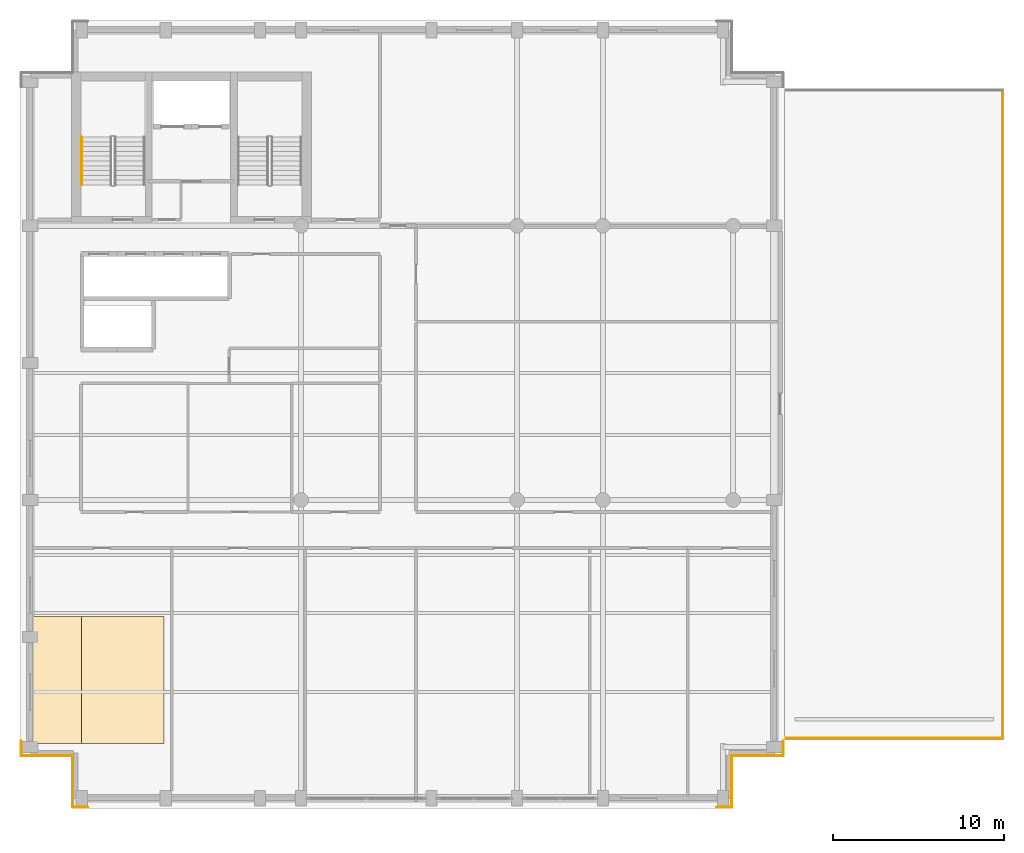
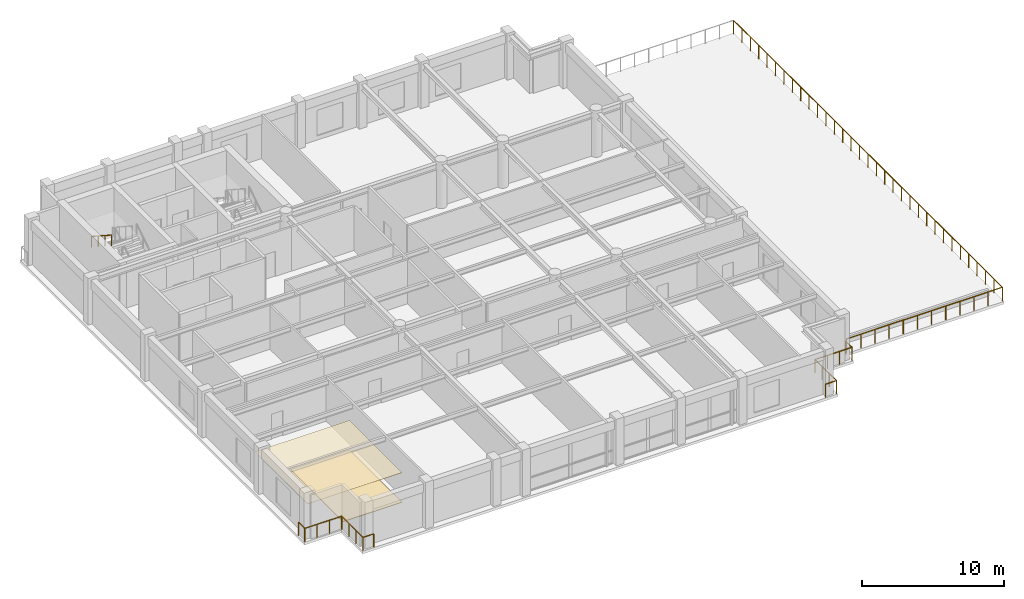
# One storey, part 7 of 9: 11 railings, 2 coverings.
"""IFC4 building model written with IfcOpenShell, lengths in metres."""

from ifc_helpers import new_model, si_unit, direction, frame, origin, origin_2d, place, context, subcontext, project, spatial, polyline, circle, outline, extrude, material, layer, layer_set, type_object, element, save


model = new_model("IFC4")

# Units and contexts
model_context = context("Model", 3, precision=1e-05, world=origin(), true_north=direction((0.0, 1.0)))
body_context = subcontext(model_context, "Body", "Model", "MODEL_VIEW")
ifc_project = project(units=[si_unit("LENGTHUNIT", "METRE"), si_unit("AREAUNIT", "SQUARE_METRE"), si_unit("VOLUMEUNIT", "CUBIC_METRE"), si_unit("PLANEANGLEUNIT", "RADIAN"), si_unit("MASSUNIT", "GRAM", prefix="KILO")], contexts=[model_context])

# Site, building, storey
site_placement = place(None, origin())
site = spatial("IfcSite", under=ifc_project, at=site_placement, CompositionType="ELEMENT")
building_placement = place(site_placement, origin())
building = spatial("IfcBuilding", under=site, at=building_placement, Name="Sulina Concourse Tower", CompositionType="ELEMENT")
storey_placement = place(building_placement, frame((0.0, 0.0, 289.0)))
storey = spatial("IfcBuildingStorey", under=building, at=storey_placement, Name="L70", CompositionType="ELEMENT", Elevation=289.0)

# Railings
ifc_material_1 = material(Name="Galvanised steel railing", Category="steel")
railing_type_1 = type_object("IfcRailingType", Name="Core Stair Steel Guardrail 1150mm", PredefinedType="GUARDRAIL", material=ifc_material_1)
railing_1_placement = place(storey_placement, frame((44.52001953125, 3.949951171875, 0.0)))
element("IfcRailing", 1, at=railing_1_placement, inside=storey, type_object=railing_type_1, Name="L70 perimeter edge safety guardrail SE1", PredefinedType="GUARDRAIL", context=body_context, shape_type="SweptSolid", body=[
    extrude(circle(Radius=0.02392578125, at=origin_2d()), frame((0.0, 0.0, 1.1259765625), z_axis=(0.0, -1.0, 0.0), x_axis=(1.0, 0.0, 0.0)), (0.0, 0.0, 1.0), 0.869873046875),
    extrude(circle(Radius=0.02099609375, at=origin_2d()), origin(), (0.0, 0.0, 1.0), 1.101806640625),
    extrude(circle(Radius=0.02099609375, at=origin_2d()), frame((0.0, -0.869873046875, 0.0)), (0.0, 0.0, 1.0), 1.101806640625),
])
railing_2_placement = place(storey_placement, frame((44.52001953125, 3.080078125, 0.0)))
element("IfcRailing", 2, at=railing_2_placement, inside=storey, type_object=railing_type_1, Name="L70 perimeter edge safety guardrail SE2", PredefinedType="GUARDRAIL", context=body_context, shape_type="SweptSolid", body=[
    extrude(circle(Radius=0.02392578125, at=origin_2d()), frame((0.0, 0.0, 1.1259765625), z_axis=(-1.0, 0.0, 0.0), x_axis=(0.0, -1.0, 0.0)), (0.0, 0.0, 1.0), 3.0),
    extrude(circle(Radius=0.02099609375, at=origin_2d()), origin(), (0.0, 0.0, 1.0), 1.101806640625),
    extrude(circle(Radius=0.02099609375, at=origin_2d()), frame((-1.0, 0.0, 0.0)), (0.0, 0.0, 1.0), 1.101806640625),
    extrude(circle(Radius=0.02099609375, at=origin_2d()), frame((-2.0, 0.0, 0.0)), (0.0, 0.0, 1.0), 1.101806640625),
    extrude(circle(Radius=0.02099609375, at=origin_2d()), frame((-3.0, 0.0, 0.0)), (0.0, 0.0, 1.0), 1.101806640625),
])
railing_3_placement = place(storey_placement, frame((41.52001953125, 3.080078125, 0.0)))
element("IfcRailing", 3, at=railing_3_placement, inside=storey, type_object=railing_type_1, Name="L70 perimeter edge safety guardrail SE3", PredefinedType="GUARDRAIL", context=body_context, shape_type="SweptSolid", body=[
    extrude(circle(Radius=0.02392578125, at=origin_2d()), frame((0.0, 0.0, 1.1259765625), z_axis=(0.0, -1.0, 0.0), x_axis=(1.0, 0.0, 0.0)), (0.0, 0.0, 1.0), 3.0),
    extrude(circle(Radius=0.02099609375, at=origin_2d()), origin(), (0.0, 0.0, 1.0), 1.101806640625),
    extrude(circle(Radius=0.02099609375, at=origin_2d()), frame((0.0, -1.0, 0.0)), (0.0, 0.0, 1.0), 1.101806640625),
    extrude(circle(Radius=0.02099609375, at=origin_2d()), frame((0.0, -2.0, 0.0)), (0.0, 0.0, 1.0), 1.101806640625),
    extrude(circle(Radius=0.02099609375, at=origin_2d()), frame((0.0, -3.0, 0.0)), (0.0, 0.0, 1.0), 1.101806640625),
])
railing_4_placement = place(storey_placement, frame((41.52001953125, 0.080078125, 0.0)))
element("IfcRailing", 4, at=railing_4_placement, inside=storey, type_object=railing_type_1, Name="L70 perimeter edge safety guardrail SE4", PredefinedType="GUARDRAIL", context=body_context, shape_type="SweptSolid", body=[
    extrude(circle(Radius=0.02392578125, at=origin_2d()), frame((0.0, 0.0, 1.1259765625), z_axis=(-1.0, 0.0, 0.0), x_axis=(0.0, -1.0, 0.0)), (0.0, 0.0, 1.0), 0.8701171875),
    extrude(circle(Radius=0.02099609375, at=origin_2d()), origin(), (0.0, 0.0, 1.0), 1.101806640625),
    extrude(circle(Radius=0.02099609375, at=origin_2d()), frame((-0.8701171875, 0.0, 0.0)), (0.0, 0.0, 1.0), 1.101806640625),
])
railing_5_placement = place(storey_placement, frame((3.949951171875, 0.080078125, 0.0)))
element("IfcRailing", 5, at=railing_5_placement, inside=storey, type_object=railing_type_1, Name="L70 perimeter edge safety guardrail SW1", PredefinedType="GUARDRAIL", context=body_context, shape_type="SweptSolid", body=[
    extrude(circle(Radius=0.02392578125, at=origin_2d()), frame((0.0, 0.0, 1.1259765625), z_axis=(-1.0, 0.0, 0.0), x_axis=(0.0, -1.0, 0.0)), (0.0, 0.0, 1.0), 0.869873046875),
    extrude(circle(Radius=0.02099609375, at=origin_2d()), origin(), (0.0, 0.0, 1.0), 1.101806640625),
    extrude(circle(Radius=0.02099609375, at=origin_2d()), frame((-0.869873046875, 0.0, 0.0)), (0.0, 0.0, 1.0), 1.101806640625),
])
railing_6_placement = place(storey_placement, frame((3.080078125, 0.080078125, 0.0)))
element("IfcRailing", 6, at=railing_6_placement, inside=storey, type_object=railing_type_1, Name="L70 perimeter edge safety guardrail SW2", PredefinedType="GUARDRAIL", context=body_context, shape_type="SweptSolid", body=[
    extrude(circle(Radius=0.02392578125, at=origin_2d()), frame((0.0, 0.0, 1.1259765625), z_axis=(0.0, 1.0, 0.0), x_axis=(-1.0, 0.0, 0.0)), (0.0, 0.0, 1.0), 3.0),
    extrude(circle(Radius=0.02099609375, at=origin_2d()), origin(), (0.0, 0.0, 1.0), 1.101806640625),
    extrude(circle(Radius=0.02099609375, at=origin_2d()), frame((0.0, 1.0, 0.0)), (0.0, 0.0, 1.0), 1.101806640625),
    extrude(circle(Radius=0.02099609375, at=origin_2d()), frame((0.0, 2.0, 0.0)), (0.0, 0.0, 1.0), 1.101806640625),
    extrude(circle(Radius=0.02099609375, at=origin_2d()), frame((0.0, 3.0, 0.0)), (0.0, 0.0, 1.0), 1.101806640625),
])
railing_7_placement = place(storey_placement, frame((3.080078125, 3.080078125, 0.0)))
element("IfcRailing", 7, at=railing_7_placement, inside=storey, type_object=railing_type_1, Name="L70 perimeter edge safety guardrail SW3", PredefinedType="GUARDRAIL", context=body_context, shape_type="SweptSolid", body=[
    extrude(circle(Radius=0.02392578125, at=origin_2d()), frame((0.0, 0.0, 1.1259765625), z_axis=(-1.0, 0.0, 0.0), x_axis=(0.0, -1.0, 0.0)), (0.0, 0.0, 1.0), 3.0),
    extrude(circle(Radius=0.02099609375, at=origin_2d()), origin(), (0.0, 0.0, 1.0), 1.101806640625),
    extrude(circle(Radius=0.02099609375, at=origin_2d()), frame((-1.0, 0.0, 0.0)), (0.0, 0.0, 1.0), 1.101806640625),
    extrude(circle(Radius=0.02099609375, at=origin_2d()), frame((-2.0, 0.0, 0.0)), (0.0, 0.0, 1.0), 1.101806640625),
    extrude(circle(Radius=0.02099609375, at=origin_2d()), frame((-3.0, 0.0, 0.0)), (0.0, 0.0, 1.0), 1.101806640625),
])
railing_8_placement = place(storey_placement, frame((0.080078125, 3.080078125, 0.0)))
element("IfcRailing", 8, at=railing_8_placement, inside=storey, type_object=railing_type_1, Name="L70 perimeter edge safety guardrail SW4", PredefinedType="GUARDRAIL", context=body_context, shape_type="SweptSolid", body=[
    extrude(circle(Radius=0.02392578125, at=origin_2d()), frame((0.0, 0.0, 1.1259765625), z_axis=(0.0, 1.0, 0.0), x_axis=(-1.0, 0.0, 0.0)), (0.0, 0.0, 1.0), 0.869873046875),
    extrude(circle(Radius=0.02099609375, at=origin_2d()), origin(), (0.0, 0.0, 1.0), 1.101806640625),
    extrude(circle(Radius=0.02099609375, at=origin_2d()), frame((0.0, 0.869873046875, 0.0)), (0.0, 0.0, 1.0), 1.101806640625),
])

# Covering
ifc_material_2 = material(Name="Polished granite flooring", Category="masonry")
ifc_layer_1 = layer(ifc_material_2, 0.044921875)
ifc_layer_set_1 = layer_set([ifc_layer_1], Name="Polished granite flooring")
covering_type_1 = type_object("IfcCoveringType", Name="Polished Granite & Raised Access Flooring 45mm", PredefinedType="FLOORING", material=ifc_layer_set_1)
covering_1_placement = place(storey_placement, origin())
element("IfcCovering", 9, at=covering_1_placement, inside=storey, type_object=covering_type_1, Name="L70 raised access floor finish", PredefinedType="FLOORING", context=body_context, shape_type="SweptSolid", body=[
    extrude(outline(polyline([(3.60009765625, 3.800048828125), (8.39990234375, 3.800048828125), (8.39990234375, 11.199951171875), (3.60009765625, 11.199951171875), (3.60009765625, 3.800048828125)])), origin(), (0.0, 0.0, 1.0), 0.044921875),
])

# Railing
ifc_material_3 = material(Name="Galvanised steel railing", Category="steel")
railing_type_2 = type_object("IfcRailingType", Name="Stair Wall Steel Handrail 920mm", PredefinedType="HANDRAIL", material=ifc_material_3)
railing_9_placement = place(storey_placement, frame((3.60498046875, 39.175048828125, 2.181884765625)))
element("IfcRailing", 10, at=railing_9_placement, inside=storey, type_object=railing_type_2, Name="L70 ST-1 stair handrail 2", PredefinedType="HANDRAIL", context=body_context, shape_type="SweptSolid", body=[
    extrude(circle(Radius=0.02392578125, at=origin_2d()), frame((0.0, 0.0, 0.89599609375), z_axis=(0.0, -0.838705829183, 0.544584733623), x_axis=(1.0, 0.0, 0.0)), (0.0, 0.0, 1.0), 3.338623046875),
    extrude(circle(Radius=0.02099609375, at=origin_2d()), origin(), (0.0, 0.0, 1.0), 0.871826171875),
    extrude(circle(Radius=0.02099609375, at=origin_2d()), frame((0.0, -0.933349609375, 0.60595703125)), (0.0, 0.0, 1.0), 0.871826171875),
    extrude(circle(Radius=0.02099609375, at=origin_2d()), frame((0.0, -1.86669921875, 1.212158203125)), (0.0, 0.0, 1.0), 0.871826171875),
    extrude(circle(Radius=0.02099609375, at=origin_2d()), frame((0.0, -2.800048828125, 1.818115234375)), (0.0, 0.0, 1.0), 0.871826171875),
])

# Covering
ifc_material_4 = material(Name="Acoustic mineral ceiling board")
ifc_layer_2 = layer(ifc_material_4, 0.02490234375)
ifc_layer_set_2 = layer_set([ifc_layer_2], Name="Acoustic mineral ceiling board")
covering_type_2 = type_object("IfcCoveringType", Name="Suspended Acoustic Mineral Ceiling 25mm", PredefinedType="CEILING", material=ifc_layer_set_2)
covering_2_placement = place(storey_placement, frame((0.0, 0.0, 2.550048828125)))
element("IfcCovering", 11, at=covering_2_placement, inside=storey, type_object=covering_type_2, Name="L70 suspended acoustic tile ceiling", PredefinedType="CEILING", context=body_context, shape_type="SweptSolid", body=[
    extrude(outline(polyline([(0.719970703125, 3.800048828125), (8.39990234375, 3.800048828125), (8.39990234375, 11.199951171875), (0.719970703125, 11.199951171875), (0.719970703125, 3.800048828125)])), origin(), (0.0, 0.0, 1.0), 0.02490234375),
])

# Railings
ifc_material_5 = material(Name="Laminated glass balustrade and steel post", Category="steel")
railing_type_3 = type_object("IfcRailingType", Name="Terrace & Sky-Pool Laminated Guardrail 1200mm", PredefinedType="GUARDRAIL", material=ifc_material_5)
railing_10_placement = place(storey_placement, frame((44.679931640625, 4.10009765625, 0.0)))
element("IfcRailing", 12, at=railing_10_placement, inside=storey, type_object=railing_type_3, Name="L70 terrace guardrail TER-CR1-1", PredefinedType="GUARDRAIL", context=body_context, shape_type="SweptSolid", body=[
    extrude(circle(Radius=0.02490234375, at=origin_2d()), frame((0.0, 0.0, 1.1748046875), z_axis=(1.0, 0.0, 0.0), x_axis=(0.0, 1.0, 0.0)), (0.0, 0.0, 1.0), 12.64013671875),
    extrude(circle(Radius=0.02099609375, at=origin_2d()), origin(), (0.0, 0.0, 1.0), 1.14990234375),
    extrude(circle(Radius=0.02099609375, at=origin_2d()), frame((1.149169921875, 0.0, 0.0)), (0.0, 0.0, 1.0), 1.14990234375),
    extrude(circle(Radius=0.02099609375, at=origin_2d()), frame((2.298095703125, 0.0, 0.0)), (0.0, 0.0, 1.0), 1.14990234375),
    extrude(circle(Radius=0.02099609375, at=origin_2d()), frame((3.447265625, 0.0, 0.0)), (0.0, 0.0, 1.0), 1.14990234375),
    extrude(circle(Radius=0.02099609375, at=origin_2d()), frame((4.596435546875, 0.0, 0.0)), (0.0, 0.0, 1.0), 1.14990234375),
    extrude(circle(Radius=0.02099609375, at=origin_2d()), frame((5.74560546875, 0.0, 0.0)), (0.0, 0.0, 1.0), 1.14990234375),
    extrude(circle(Radius=0.02099609375, at=origin_2d()), frame((6.89453125, 0.0, 0.0)), (0.0, 0.0, 1.0), 1.14990234375),
    extrude(circle(Radius=0.02099609375, at=origin_2d()), frame((8.043701171875, 0.0, 0.0)), (0.0, 0.0, 1.0), 1.14990234375),
    extrude(circle(Radius=0.02099609375, at=origin_2d()), frame((9.19287109375, 0.0, 0.0)), (0.0, 0.0, 1.0), 1.14990234375),
    extrude(circle(Radius=0.02099609375, at=origin_2d()), frame((10.342041015625, 0.0, 0.0)), (0.0, 0.0, 1.0), 1.14990234375),
    extrude(circle(Radius=0.02099609375, at=origin_2d()), frame((11.490966796875, 0.0, 0.0)), (0.0, 0.0, 1.0), 1.14990234375),
    extrude(circle(Radius=0.02099609375, at=origin_2d()), frame((12.64013671875, 0.0, 0.0)), (0.0, 0.0, 1.0), 1.14990234375),
])
railing_11_placement = place(storey_placement, frame((57.320068359375, 4.10009765625, 0.0)))
element("IfcRailing", 13, at=railing_11_placement, inside=storey, type_object=railing_type_3, Name="L70 terrace guardrail TER-CR1-2", PredefinedType="GUARDRAIL", context=body_context, shape_type="SweptSolid", body=[
    extrude(circle(Radius=0.02490234375, at=origin_2d()), frame((0.0, 0.0, 1.1748046875), z_axis=(0.0, 1.0, 0.0), x_axis=(-1.0, 0.0, 0.0)), (0.0, 0.0, 1.0), 37.7998046875),
    extrude(circle(Radius=0.02099609375, at=origin_2d()), origin(), (0.0, 0.0, 1.0), 1.14990234375),
    extrude(circle(Radius=0.02099609375, at=origin_2d()), frame((0.0, 1.18115234375, 0.0)), (0.0, 0.0, 1.0), 1.14990234375),
    extrude(circle(Radius=0.02099609375, at=origin_2d()), frame((0.0, 2.362548828125, 0.0)), (0.0, 0.0, 1.0), 1.14990234375),
    extrude(circle(Radius=0.02099609375, at=origin_2d()), frame((0.0, 3.543701171875, 0.0)), (0.0, 0.0, 1.0), 1.14990234375),
    extrude(circle(Radius=0.02099609375, at=origin_2d()), frame((0.0, 4.72509765625, 0.0)), (0.0, 0.0, 1.0), 1.14990234375),
    extrude(circle(Radius=0.02099609375, at=origin_2d()), frame((0.0, 5.90625, 0.0)), (0.0, 0.0, 1.0), 1.14990234375),
    extrude(circle(Radius=0.02099609375, at=origin_2d()), frame((0.0, 7.08740234375, 0.0)), (0.0, 0.0, 1.0), 1.14990234375),
    extrude(circle(Radius=0.02099609375, at=origin_2d()), frame((0.0, 8.268798828125, 0.0)), (0.0, 0.0, 1.0), 1.14990234375),
    extrude(circle(Radius=0.02099609375, at=origin_2d()), frame((0.0, 9.449951171875, 0.0)), (0.0, 0.0, 1.0), 1.14990234375),
    extrude(circle(Radius=0.02099609375, at=origin_2d()), frame((0.0, 10.631103515625, 0.0)), (0.0, 0.0, 1.0), 1.14990234375),
    extrude(circle(Radius=0.02099609375, at=origin_2d()), frame((0.0, 11.8125, 0.0)), (0.0, 0.0, 1.0), 1.14990234375),
    extrude(circle(Radius=0.02099609375, at=origin_2d()), frame((0.0, 12.99365234375, 0.0)), (0.0, 0.0, 1.0), 1.14990234375),
    extrude(circle(Radius=0.02099609375, at=origin_2d()), frame((0.0, 14.1748046875, 0.0)), (0.0, 0.0, 1.0), 1.14990234375),
    extrude(circle(Radius=0.02099609375, at=origin_2d()), frame((0.0, 15.356201171875, 0.0)), (0.0, 0.0, 1.0), 1.14990234375),
    extrude(circle(Radius=0.02099609375, at=origin_2d()), frame((0.0, 16.537353515625, 0.0)), (0.0, 0.0, 1.0), 1.14990234375),
    extrude(circle(Radius=0.02099609375, at=origin_2d()), frame((0.0, 17.71875, 0.0)), (0.0, 0.0, 1.0), 1.14990234375),
    extrude(circle(Radius=0.02099609375, at=origin_2d()), frame((0.0, 18.89990234375, 0.0)), (0.0, 0.0, 1.0), 1.14990234375),
    extrude(circle(Radius=0.02099609375, at=origin_2d()), frame((0.0, 20.0810546875, 0.0)), (0.0, 0.0, 1.0), 1.14990234375),
    extrude(circle(Radius=0.02099609375, at=origin_2d()), frame((0.0, 21.262451171875, 0.0)), (0.0, 0.0, 1.0), 1.14990234375),
    extrude(circle(Radius=0.02099609375, at=origin_2d()), frame((0.0, 22.443603515625, 0.0)), (0.0, 0.0, 1.0), 1.14990234375),
    extrude(circle(Radius=0.02099609375, at=origin_2d()), frame((0.0, 23.625, 0.0)), (0.0, 0.0, 1.0), 1.14990234375),
    extrude(circle(Radius=0.02099609375, at=origin_2d()), frame((0.0, 24.80615234375, 0.0)), (0.0, 0.0, 1.0), 1.14990234375),
    extrude(circle(Radius=0.02099609375, at=origin_2d()), frame((0.0, 25.9873046875, 0.0)), (0.0, 0.0, 1.0), 1.14990234375),
    extrude(circle(Radius=0.02099609375, at=origin_2d()), frame((0.0, 27.168701171875, 0.0)), (0.0, 0.0, 1.0), 1.14990234375),
    extrude(circle(Radius=0.02099609375, at=origin_2d()), frame((0.0, 28.349853515625, 0.0)), (0.0, 0.0, 1.0), 1.14990234375),
    extrude(circle(Radius=0.02099609375, at=origin_2d()), frame((0.0, 29.531005859375, 0.0)), (0.0, 0.0, 1.0), 1.14990234375),
    extrude(circle(Radius=0.02099609375, at=origin_2d()), frame((0.0, 30.71240234375, 0.0)), (0.0, 0.0, 1.0), 1.14990234375),
    extrude(circle(Radius=0.02099609375, at=origin_2d()), frame((0.0, 31.8935546875, 0.0)), (0.0, 0.0, 1.0), 1.14990234375),
    extrude(circle(Radius=0.02099609375, at=origin_2d()), frame((0.0, 33.07470703125, 0.0)), (0.0, 0.0, 1.0), 1.14990234375),
    extrude(circle(Radius=0.02099609375, at=origin_2d()), frame((0.0, 34.256103515625, 0.0)), (0.0, 0.0, 1.0), 1.14990234375),
    extrude(circle(Radius=0.02099609375, at=origin_2d()), frame((0.0, 35.437255859375, 0.0)), (0.0, 0.0, 1.0), 1.14990234375),
    extrude(circle(Radius=0.02099609375, at=origin_2d()), frame((0.0, 36.61865234375, 0.0)), (0.0, 0.0, 1.0), 1.14990234375),
    extrude(circle(Radius=0.02099609375, at=origin_2d()), frame((0.0, 37.7998046875, 0.0)), (0.0, 0.0, 1.0), 1.14990234375),
])

save(model, "model.ifc")
